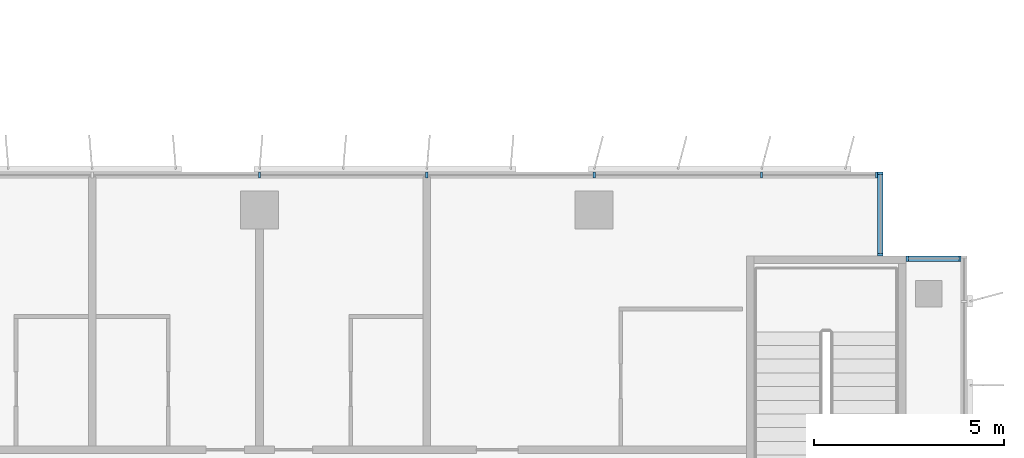
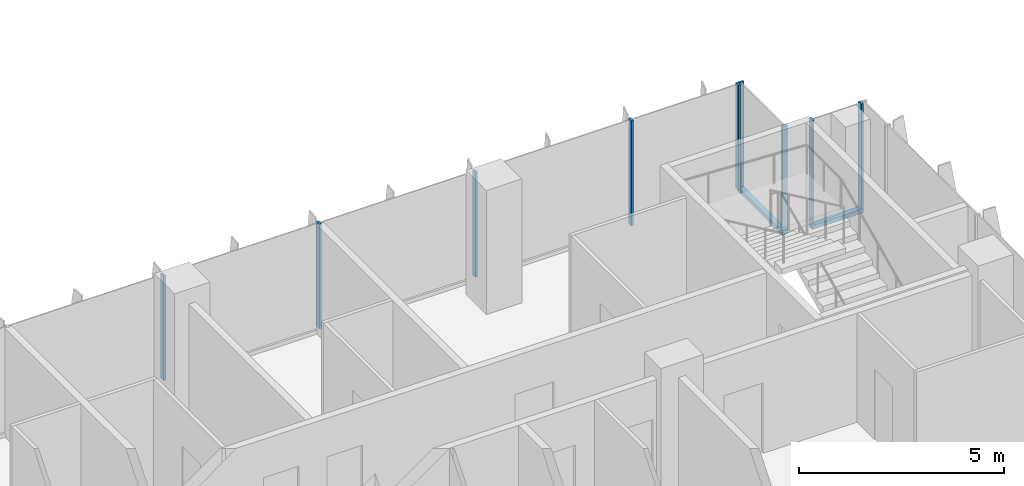
# One storey, part 4 of 21: 11 members, 3 elements without a shape of their own.
"""IFC4 building model written with IfcOpenShell, lengths in metres."""

from ifc_helpers import new_model, si_unit, direction, frame, origin, origin_2d, place, context, subcontext, project, spatial, rectangle, extrude, source, transform, mapped, material, material_profile, profile_set, type_object, element, aggregate, save


model = new_model("IFC4")

# Units and contexts
model_context = context("Model", 3, precision=1e-05, world=origin(), true_north=direction((0.0, 1.0)))
body_context = subcontext(model_context, "Body", "Model", "MODEL_VIEW")
ifc_project = project(units=[si_unit("LENGTHUNIT", "METRE"), si_unit("AREAUNIT", "SQUARE_METRE"), si_unit("VOLUMEUNIT", "CUBIC_METRE"), si_unit("PLANEANGLEUNIT", "RADIAN"), si_unit("MASSUNIT", "GRAM", prefix="KILO")], contexts=[model_context])

# Site, building, storey
site_placement = place(None, origin())
site = spatial("IfcSite", under=ifc_project, at=site_placement, CompositionType="ELEMENT")
building_placement = place(site_placement, origin())
building = spatial("IfcBuilding", under=site, at=building_placement, Name="Kemantara Hotel Tower", CompositionType="ELEMENT")
storey_placement = place(building_placement, frame((0.0, 0.0, 198.800048828125)))
storey = spatial("IfcBuildingStorey", under=building, at=storey_placement, Name="L49", CompositionType="ELEMENT", Elevation=198.800048828125)

# Curtain wall, member
ifc_material_1 = material(Name="Low-E tinted double insulated glass 36 mm", Category="glass")
curtain_wall_type = type_object("IfcCurtainWallType", Name="TOWER CURTAIN WALL, FRONT FACES", PredefinedType="USERDEFINED", material=ifc_material_1)
curtain_wall_1_placement = place(storey_placement, origin())
curtain_wall_1 = element("IfcCurtainWall", 1, at=curtain_wall_1_placement, inside=storey, type_object=curtain_wall_type, Name="CW4 L49 T3-R12-1", ObjectType="TOWER CURTAIN WALL, FRONT FACES", PredefinedType="USERDEFINED")
ifc_material_2 = material(Name="Aluminium 6063-T6 bronze anodised", Category="aluminium")
ifc_material_profile_1 = material_profile(ifc_material_2, rectangle(XDim=0.14990234375, YDim=0.1201171875, at=origin_2d()), Name="TOWER CURTAIN WALL, FRONT FACES TRANSOM")
ifc_profile_set_1 = profile_set([ifc_material_profile_1], Name="Aluminium 6063-T6 bronze anodised")
member_type_1 = type_object("IfcMemberType", Name="TOWER CURTAIN WALL, FRONT FACES TRANSOM", PredefinedType="USERDEFINED", material=ifc_profile_set_1)
member_1_placement = place(storey_placement, frame((63.449951171875, 19.72509765625, 0.06005859375), z_axis=(-1.0, 0.0, 0.0), x_axis=(0.0, -1.0, 0.0)))
member_1 = element("IfcMember", 2, at=member_1_placement, type_object=member_type_1, Name="CW4 sill transom T3-R12-1", ObjectType="TRANSOM", PredefinedType="USERDEFINED", context=body_context, shape_type="SweptSolid", body=[
    extrude(rectangle(XDim=0.14990234375, YDim=0.1201171875, at=origin_2d()), origin(), (0.0, 0.0, 1.0), 1.449951171875),
])

curtain_wall_2_placement = place(storey_placement, origin())
curtain_wall_2 = element("IfcCurtainWall", 3, at=curtain_wall_2_placement, inside=storey, type_object=curtain_wall_type, Name="CW4 L49 T3-R13-1", ObjectType="TOWER CURTAIN WALL, FRONT FACES", PredefinedType="USERDEFINED")
member_2_placement = place(storey_placement, frame((61.324951171875, 19.800048828125, 0.06005859375), z_axis=(0.0, 1.0, 0.0), x_axis=(-1.0, 0.0, 0.0)))
member_2 = element("IfcMember", 4, at=member_2_placement, type_object=member_type_1, Name="CW4 sill transom T3-R13-1", ObjectType="TRANSOM", PredefinedType="USERDEFINED", context=body_context, shape_type="SweptSolid", body=[
    extrude(rectangle(XDim=0.14990234375, YDim=0.1201171875, at=origin_2d()), origin(), (0.0, 0.0, 1.0), 2.199951171875),
])

# Curtain wall, members
curtain_wall_3_placement = place(storey_placement, origin())
curtain_wall_3 = element("IfcCurtainWall", 5, at=curtain_wall_3_placement, inside=storey, type_object=curtain_wall_type, Name="CW4 L49 T3-R14-1", ObjectType="TOWER CURTAIN WALL, FRONT FACES", PredefinedType="USERDEFINED")
ifc_material_profile_2 = material_profile(ifc_material_2, rectangle(XDim=0.14990234375, YDim=0.06005859375, at=origin_2d()), Name="TOWER CURTAIN WALL, FRONT FACES MULLION")
ifc_profile_set_2 = profile_set([ifc_material_profile_2], Name="Aluminium 6063-T6 bronze anodised")
member_type_2 = type_object("IfcMemberType", Name="TOWER CURTAIN WALL, FRONT FACES MULLION", PredefinedType="MULLION", material=ifc_profile_set_2)
shared_shape = source(origin(), body_context, "Body", "SweptSolid", [
    extrude(rectangle(XDim=0.14990234375, YDim=0.06005859375, at=origin_2d()), origin(), (0.0, 0.0, 1.0), 3.130126953125),
])
member_3_placement = place(storey_placement, frame((61.219970703125, 21.925048828125, 0.119873046875), z_axis=(0.0, 0.0, 1.0), x_axis=(0.0, -1.0, 0.0)))
member_3 = element("IfcMember", 6, at=member_3_placement, type_object=member_type_2, Name="CW4 mullion T3-R14-1.1", PredefinedType="MULLION", context=body_context, shape_type="MappedRepresentation", body=[
    mapped(shared_shape, transform((0.0, 0.0, 0.0))),
])
member_4_placement = place(storey_placement, frame((58.199951171875, 21.925048828125, 0.119873046875), z_axis=(0.0, 0.0, 1.0), x_axis=(0.0, -1.0, 0.0)))
member_4 = element("IfcMember", 7, at=member_4_placement, type_object=member_type_2, Name="CW4 mullion T3-R14-1.2", PredefinedType="MULLION", context=body_context, shape_type="MappedRepresentation", body=[
    mapped(shared_shape, transform((0.0, 0.0, 0.0))),
])
member_5_placement = place(storey_placement, frame((53.800048828125, 21.925048828125, 0.119873046875), z_axis=(0.0, 0.0, 1.0), x_axis=(0.0, -1.0, 0.0)))
member_5 = element("IfcMember", 8, at=member_5_placement, type_object=member_type_2, Name="CW4 mullion T3-R14-1.3", PredefinedType="MULLION", context=body_context, shape_type="MappedRepresentation", body=[
    mapped(shared_shape, transform((0.0, 0.0, 0.0))),
])
member_6_placement = place(storey_placement, frame((49.39990234375, 21.925048828125, 0.119873046875), z_axis=(0.0, 0.0, 1.0), x_axis=(0.0, -1.0, 0.0)))
member_6 = element("IfcMember", 9, at=member_6_placement, type_object=member_type_2, Name="CW4 mullion T3-R14-1.4", PredefinedType="MULLION", context=body_context, shape_type="MappedRepresentation", body=[
    mapped(shared_shape, transform((0.0, 0.0, 0.0))),
])
member_7_placement = place(storey_placement, frame((45.0, 21.925048828125, 0.119873046875), z_axis=(0.0, 0.0, 1.0), x_axis=(0.0, -1.0, 0.0)))
member_7 = element("IfcMember", 10, at=member_7_placement, type_object=member_type_2, Name="CW4 mullion T3-R14-1.5", PredefinedType="MULLION", context=body_context, shape_type="MappedRepresentation", body=[
    mapped(shared_shape, transform((0.0, 0.0, 0.0))),
])
aggregate(curtain_wall_3, [member_3, member_4, member_5, member_6, member_7])

# Member
member_8_placement = place(storey_placement, frame((63.419921875, 19.72509765625, 0.119873046875), z_axis=(0.0, 0.0, 1.0), x_axis=(0.0, -1.0, 0.0)))
member_8 = element("IfcMember", 11, at=member_8_placement, type_object=member_type_2, Name="CW4 mullion T3-R12-1.1", PredefinedType="MULLION", context=body_context, shape_type="MappedRepresentation", body=[
    mapped(shared_shape, transform((0.0, 0.0, 0.0))),
])

member_9_placement = place(storey_placement, frame((62.030029296875, 19.72509765625, 0.119873046875), z_axis=(0.0, 0.0, 1.0), x_axis=(0.0, -1.0, 0.0)))
member_9 = element("IfcMember", 12, at=member_9_placement, type_object=member_type_2, Name="CW4 mullion T3-R12-1.2", PredefinedType="MULLION", context=body_context, shape_type="MappedRepresentation", body=[
    mapped(shared_shape, transform((0.0, 0.0, 0.0))),
])

aggregate(curtain_wall_1, [member_1, member_8, member_9])

member_10_placement = place(storey_placement, frame((61.324951171875, 19.830078125, 0.119873046875), z_axis=(0.0, 0.0, 1.0), x_axis=(-1.0, 0.0, 0.0)))
member_10 = element("IfcMember", 13, at=member_10_placement, type_object=member_type_2, Name="CW4 mullion T3-R13-1.1", PredefinedType="MULLION", context=body_context, shape_type="MappedRepresentation", body=[
    mapped(shared_shape, transform((0.0, 0.0, 0.0))),
])

member_11_placement = place(storey_placement, frame((61.324951171875, 21.969970703125, 0.119873046875), z_axis=(0.0, 0.0, 1.0), x_axis=(-1.0, 0.0, 0.0)))
member_11 = element("IfcMember", 14, at=member_11_placement, type_object=member_type_2, Name="CW4 mullion T3-R13-1.2", PredefinedType="MULLION", context=body_context, shape_type="MappedRepresentation", body=[
    mapped(shared_shape, transform((0.0, 0.0, 0.0))),
])

aggregate(curtain_wall_2, [member_2, member_10, member_11])

save(model, "model.ifc")
